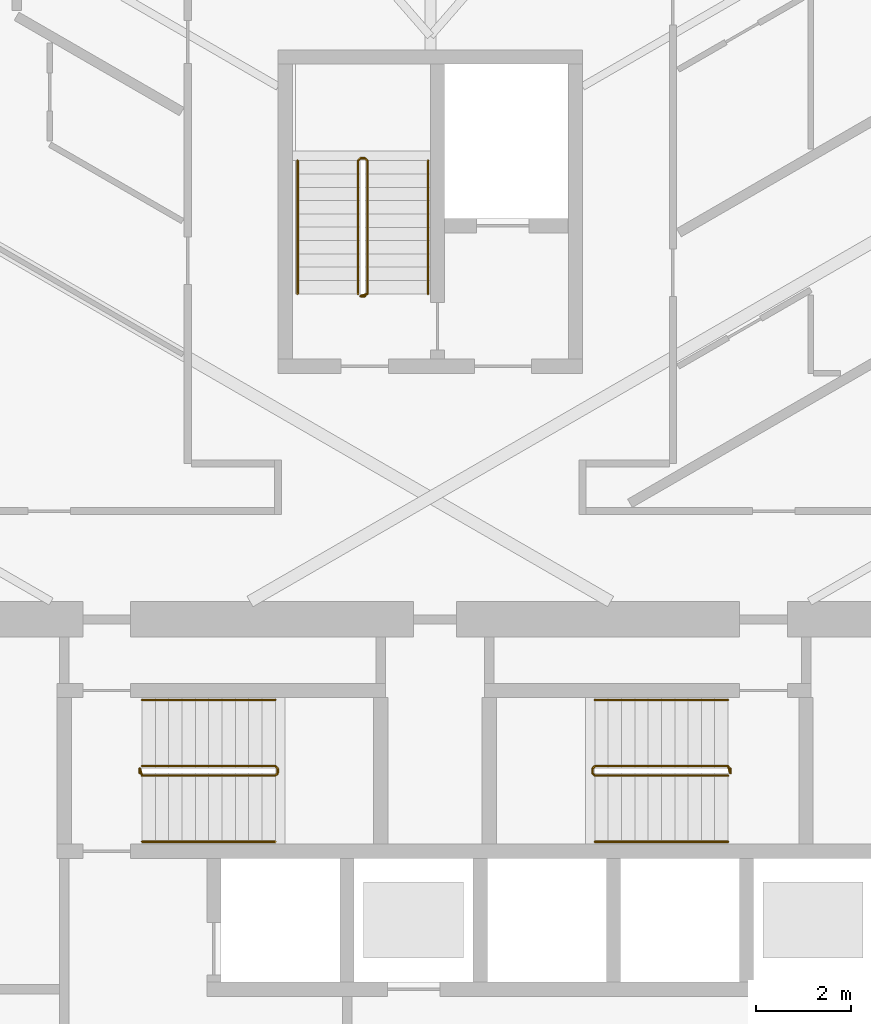
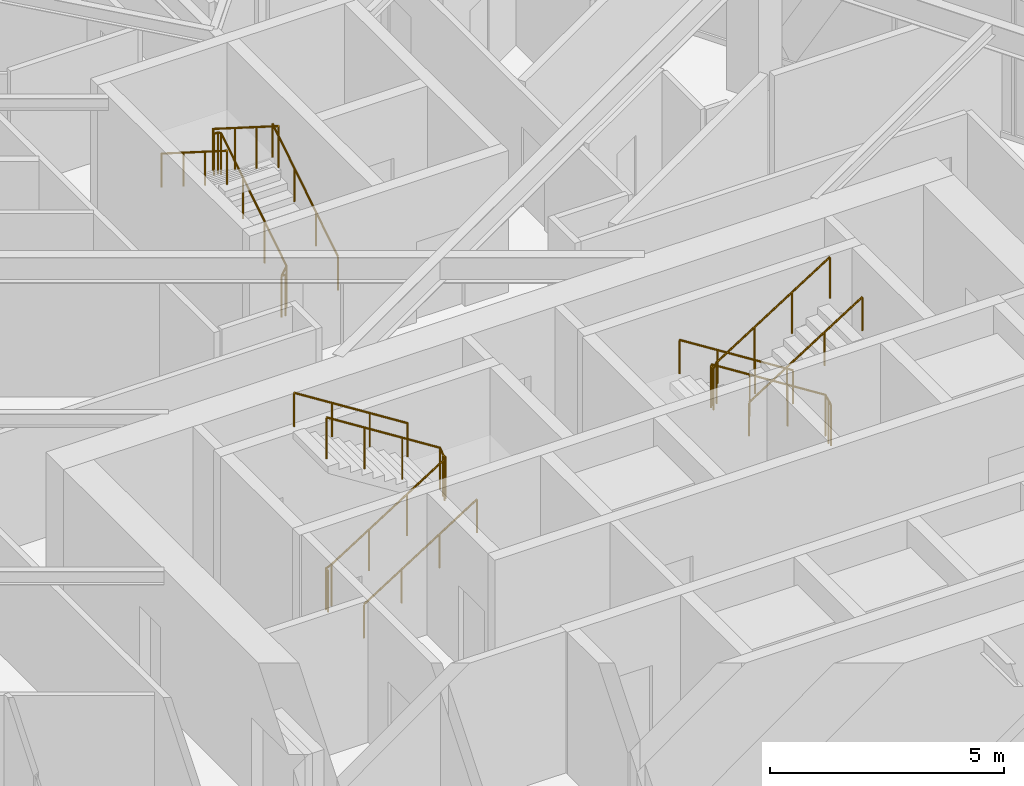
# One storey, part 18 of 19: 9 railings.
"""IFC4 building model written with IfcOpenShell, lengths in metres."""

import ifcopenshell
import ifcopenshell.guid

model = None  # the IFC model being written
_history = None  # IfcOwnerHistory: only IFC2X3 demands one
_inside = {}  # id of a spatial element -> (the spatial element, [elements in it])
_under = {}  # id of a project, library or spatial element -> (it, [spatial elements below it])
_declared = {}  # id of a project -> (the project, [libraries it declares])
_typed = {}  # id of a type object -> (the type object, [elements of that type])
_made_of = {}  # id of a material, layer set ... -> (it, [elements and type objects made of it])


def new_model(schema):
    """Start an empty IFC model of exactly this schema.

    Asked for "IFC4X3", IfcOpenShell would pick the latest addendum, in which some entities
    have other attributes; the version numbers below select the first issue.
    IFC2X3 requires an IfcOwnerHistory on every rooted entity: one is made here for all.
    """
    global model, _history
    if schema == "IFC4X3":
        model = ifcopenshell.file(schema_version=(4, 3, 0, 0))
    else:
        model = ifcopenshell.file(schema=schema)
    _inside.clear()
    _under.clear()
    _declared.clear()
    _typed.clear()
    _made_of.clear()
    _history = None
    if model.schema == "IFC2X3":
        org = make("IfcOrganization", Name="unknown")
        user = make(
            "IfcPersonAndOrganization",
            ThePerson=make("IfcPerson", FamilyName="unknown"),
            TheOrganization=org,
        )
        app = make(
            "IfcApplication",
            ApplicationDeveloper=org,
            Version="unknown",
            ApplicationFullName="unknown",
            ApplicationIdentifier="unknown",
        )
        _history = make(
            "IfcOwnerHistory",
            OwningUser=user,
            OwningApplication=app,
            ChangeAction="ADDED",
            CreationDate=0,
        )
    return model


def make(cls, **values):
    """One entity of the class cls with the attributes given. An attribute that is None is left unset."""
    return model.create_entity(
        cls, **{name: value for name, value in values.items() if value is not None}
    )


def rooted(cls, **values):
    """An entity with a GlobalId (a new one), such as an element, a storey or a relation."""
    return make(cls, GlobalId=ifcopenshell.guid.new(), OwnerHistory=_history, **values)


def si_unit(unit_type, name, prefix=None):
    """IfcSIUnit, for example si_unit("LENGTHUNIT", "METRE", prefix="MILLI")."""
    return make("IfcSIUnit", UnitType=unit_type, Prefix=prefix, Name=name)


def assignment(units):
    """IfcUnitAssignment: the units of a project."""
    return None if units is None else make("IfcUnitAssignment", Units=units)


def point(xyz):
    """IfcCartesianPoint."""
    return None if xyz is None else make("IfcCartesianPoint", Coordinates=xyz)


def direction(xyz):
    """IfcDirection."""
    return None if xyz is None else make("IfcDirection", DirectionRatios=xyz)


def frame(location, z_axis=None, x_axis=None):
    """IfcAxis2Placement3D, a coordinate frame: its origin and axes. An axis left out is left unset."""
    return make(
        "IfcAxis2Placement3D",
        Location=point(location),
        Axis=direction(z_axis),
        RefDirection=direction(x_axis),
    )


def frame_2d(location, x_axis=None):
    """IfcAxis2Placement2D, a coordinate frame in the plane: its origin and x axis."""
    return make(
        "IfcAxis2Placement2D", Location=point(location), RefDirection=direction(x_axis)
    )


def origin():
    """The frame at (0, 0, 0) with its axes left unset."""
    return frame((0.0, 0.0, 0.0))


def origin_2d():
    """The frame at (0, 0) in the plane with its x axis left unset."""
    return frame_2d((0.0, 0.0))


def place(relative_to, where):
    """IfcLocalPlacement: puts the frame where relative to a parent placement (None: the world)."""
    return make(
        "IfcLocalPlacement", PlacementRelTo=relative_to, RelativePlacement=where
    )


def context(
    kind, dimensions, precision=None, world=None, true_north=None, identifier=None
):
    """IfcGeometricRepresentationContext, for example the 3D "Model" context."""
    return make(
        "IfcGeometricRepresentationContext",
        ContextIdentifier=identifier,
        ContextType=kind,
        CoordinateSpaceDimension=dimensions,
        Precision=precision,
        WorldCoordinateSystem=world,
        TrueNorth=true_north,
    )


def subcontext(parent, identifier, kind, view, scale=None):
    """IfcGeometricRepresentationSubContext, for example "Body" below "Model"."""
    return make(
        "IfcGeometricRepresentationSubContext",
        ContextIdentifier=identifier,
        ContextType=kind,
        ParentContext=parent,
        TargetScale=scale,
        TargetView=view,
    )


def project(units=None, contexts=None):
    """IfcProject with its units and contexts."""
    return rooted(
        "IfcProject",
        Name="project",
        RepresentationContexts=contexts,
        UnitsInContext=assignment(units),
    )


def spatial(cls, under=None, at=None, **own):
    """A site, building, storey or space (cls), placed at a placement, below another one or the project."""
    s = rooted(cls, ObjectPlacement=at, **own)
    if under is not None:
        _under.setdefault(under.id(), (under, []))[1].append(s)
    return s


def profile(cls, at=None, kind="AREA", **sizes):
    """A parametric profile (cls). Its sizes go by their IFC names, for example OverallWidth=200.0."""
    return make(cls, ProfileType=kind, Position=at, **sizes)


def circle(**sizes):
    """IfcCircleProfileDef."""
    return profile("IfcCircleProfileDef", **sizes)


def extrude(swept, where, along, depth):
    """IfcExtrudedAreaSolid: the profile swept, set in the frame where, extruded along a direction by depth."""
    return make(
        "IfcExtrudedAreaSolid",
        SweptArea=swept,
        Position=where,
        ExtrudedDirection=direction(along),
        Depth=depth,
    )


def shape(context_of_items, identifier, shape_type, items):
    """IfcShapeRepresentation: the items that make up one representation, for example the "Body"."""
    return make(
        "IfcShapeRepresentation",
        ContextOfItems=context_of_items,
        RepresentationIdentifier=identifier,
        RepresentationType=shape_type,
        Items=items,
    )


def material(Name=None, Category=None):
    """IfcMaterial."""
    return make("IfcMaterial", Name=Name, Category=Category)


def made_of(thing, what):
    """Note that an element or type object is made of a material, layer set ...; save() writes the relation."""
    if what is not None:
        _made_of.setdefault(what.id(), (what, []))[1].append(thing)
    return thing


def type_object(cls, material=None, **own):
    """A type object (cls), such as IfcWallType, which elements share."""
    return made_of(rooted(cls, **own), material)


def element(
    cls,
    number,
    at=None,
    inside=None,
    cuts=None,
    type_object=None,
    material=None,
    context=None,
    identifier="Body",
    shape_type=None,
    held_by="IfcProductDefinitionShape",
    body=None,
    shapes=None,
    **own,
):
    """One element of the class cls, such as IfcWall. Its Tag is "e" and its number.

    at: its placement. inside: the storey or other place that contains it. cuts: it is an
    opening in that element (IfcRelVoidsElement). A single representation is given by context,
    identifier, shape_type and body (its items); several are given by shapes. held_by: the class
    of the entity that holds the representations. save() writes the other relations.
    """
    e = rooted(cls, Tag="e%d" % number, ObjectPlacement=at, **own)
    if body is not None:
        shapes = [shape(context, identifier, shape_type, body)]
    if shapes is not None:
        e.Representation = make(held_by, Representations=shapes)
    if inside is not None:
        _inside.setdefault(inside.id(), (inside, []))[1].append(e)
    if cuts is not None:
        rooted(
            "IfcRelVoidsElement", RelatingBuildingElement=cuts, RelatedOpeningElement=e
        )
    if type_object is not None:
        _typed.setdefault(type_object.id(), (type_object, []))[1].append(e)
    return made_of(e, material)


def aggregate(whole, parts):
    """IfcRelAggregates: a whole, such as a stair, and the parts it consists of."""
    return rooted("IfcRelAggregates", RelatingObject=whole, RelatedObjects=parts)


def save(model, path):
    """Write the relations noted so far, then the file.

    IfcRelAggregates (storeys below a building ...), IfcRelContainedInSpatialStructure (elements
    in a storey), IfcRelDefinesByType, IfcRelAssociatesMaterial and IfcRelDeclares: one each for
    every whole, place, type object, material and project.
    """
    for whole, parts in _under.values():
        aggregate(whole, parts)
    for where, things in _inside.values():
        rooted(
            "IfcRelContainedInSpatialStructure",
            RelatedElements=things,
            RelatingStructure=where,
        )
    for kind, things in _typed.values():
        rooted("IfcRelDefinesByType", RelatedObjects=things, RelatingType=kind)
    for what, things in _made_of.values():
        rooted("IfcRelAssociatesMaterial", RelatedObjects=things, RelatingMaterial=what)
    for by, libraries in _declared.values():
        rooted("IfcRelDeclares", RelatingContext=by, RelatedDefinitions=libraries)
    model.write(path)


model = new_model("IFC4")

# Units and contexts
model_context = context("Model", 3, precision=1e-05, world=origin(), true_north=direction((0.0, 1.0)))
body_context = subcontext(model_context, "Body", "Model", "MODEL_VIEW")
ifc_project = project(units=[si_unit("LENGTHUNIT", "METRE"), si_unit("AREAUNIT", "SQUARE_METRE"), si_unit("VOLUMEUNIT", "CUBIC_METRE"), si_unit("PLANEANGLEUNIT", "RADIAN"), si_unit("MASSUNIT", "GRAM", prefix="KILO")], contexts=[model_context])

# Site, building, storey
site_placement = place(None, origin())
site = spatial("IfcSite", under=ifc_project, at=site_placement, CompositionType="ELEMENT")
building_placement = place(site_placement, origin())
building = spatial("IfcBuilding", under=site, at=building_placement, Name="Firuza Gate Tower and Library", CompositionType="ELEMENT")
storey_placement = place(building_placement, frame((0.0, 0.0, 187.0)))
storey = spatial("IfcBuildingStorey", under=building, at=storey_placement, Name="L43", CompositionType="ELEMENT", Elevation=187.0)

# Railings
ifc_material_1 = material(Name="Steel S355", Category="steel")
railing_type_1 = type_object("IfcRailingType", Name="Stair guard 1100", PredefinedType="GUARDRAIL", material=ifc_material_1)
railing_1_placement = place(storey_placement, frame((68.889892578125, 79.389892578125, 0.0)))
element("IfcRailing", 1, at=railing_1_placement, inside=storey, type_object=railing_type_1, Name="L43 ST1 stair guard 1", PredefinedType="GUARDRAIL", context=body_context, shape_type="SweptSolid", body=[
    extrude(circle(Radius=0.02392578125, at=origin_2d()), frame((0.0, 0.0, 1.076171875), z_axis=(0.0, 1.0, 0.0), x_axis=(-1.0, 0.0, 0.0)), (0.0, 0.0, 1.0), 0.10009765625),
    extrude(circle(Radius=0.02392578125, at=origin_2d()), frame((0.0, 0.10009765625, 1.076171875), z_axis=(0.210758951027, -0.631248760638, 0.74639511437), x_axis=(0.948528701346, 0.316691178788, 0.0)), (0.0, 0.0, 1.0), 0.237548828125),
    extrude(circle(Radius=0.02392578125, at=origin_2d()), frame((0.050048828125, -0.0498046875, 1.25341796875), z_axis=(0.844908973607, 0.0, 0.534910110503), x_axis=(0.0, 1.0, 0.0)), (0.0, 0.0, 1.0), 3.31396484375),
    extrude(circle(Radius=0.02392578125, at=origin_2d()), frame((2.85009765625, -0.0498046875, 3.02587890625), z_axis=(0.708833529934, 0.705375805398, 0.0), x_axis=(-0.705375805398, 0.708833529934, 0.0)), (0.0, 0.0, 1.0), 0.070556640625),
    extrude(circle(Radius=0.02392578125, at=origin_2d()), frame((2.900146484375, 0.0, 3.02587890625), z_axis=(0.0, 1.0, 0.0), x_axis=(-1.0, 0.0, 0.0)), (0.0, 0.0, 1.0), 0.10009765625),
    extrude(circle(Radius=0.02392578125, at=origin_2d()), frame((2.900146484375, 0.10009765625, 3.02587890625), z_axis=(-0.262233686654, 0.262233686654, 0.928691007369), x_axis=(-0.707106781187, -0.707106781187, 0.0)), (0.0, 0.0, 1.0), 0.19091796875),
    extrude(circle(Radius=0.02392578125, at=origin_2d()), frame((2.85009765625, 0.150146484375, 3.203125), z_axis=(-0.844908973607, 0.0, 0.534910110503), x_axis=(0.0, -1.0, 0.0)), (0.0, 0.0, 1.0), 3.31396484375),
    extrude(circle(Radius=0.02099609375, at=origin_2d()), origin(), (0.0, 0.0, 1.0), 1.052001953125),
    extrude(circle(Radius=0.02099609375, at=origin_2d()), frame((0.0, 0.10009765625, 0.0)), (0.0, 0.0, 1.0), 1.052001953125),
    extrude(circle(Radius=0.02099609375, at=origin_2d()), frame((0.050048828125, -0.0498046875, 0.17724609375)), (0.0, 0.0, 1.0), 1.052001953125),
    extrude(circle(Radius=0.02099609375, at=origin_2d()), frame((0.9833984375, -0.0498046875, 0.76806640625)), (0.0, 0.0, 1.0), 1.052001953125),
    extrude(circle(Radius=0.02099609375, at=origin_2d()), frame((1.916748046875, -0.0498046875, 1.359130859375)), (0.0, 0.0, 1.0), 1.052001953125),
    extrude(circle(Radius=0.02099609375, at=origin_2d()), frame((2.85009765625, -0.0498046875, 1.949951171875)), (0.0, 0.0, 1.0), 1.052001953125),
    extrude(circle(Radius=0.02099609375, at=origin_2d()), frame((2.900146484375, 0.0, 1.949951171875)), (0.0, 0.0, 1.0), 1.052001953125),
    extrude(circle(Radius=0.02099609375, at=origin_2d()), frame((2.900146484375, 0.10009765625, 1.949951171875)), (0.0, 0.0, 1.0), 1.052001953125),
    extrude(circle(Radius=0.02099609375, at=origin_2d()), frame((2.85009765625, 0.150146484375, 2.127197265625)), (0.0, 0.0, 1.0), 1.052001953125),
    extrude(circle(Radius=0.02099609375, at=origin_2d()), frame((1.916748046875, 0.150146484375, 2.718017578125)), (0.0, 0.0, 1.0), 1.052001953125),
    extrude(circle(Radius=0.02099609375, at=origin_2d()), frame((0.9833984375, 0.150146484375, 3.30908203125)), (0.0, 0.0, 1.0), 1.052001953125),
    extrude(circle(Radius=0.02099609375, at=origin_2d()), frame((0.050048828125, 0.150146484375, 3.89990234375)), (0.0, 0.0, 1.0), 1.052001953125),
])
railing_2_placement = place(storey_placement, frame((81.31005859375, 79.489990234375, 0.0)))
element("IfcRailing", 2, at=railing_2_placement, inside=storey, type_object=railing_type_1, Name="L43 ST2 stair guard 1", PredefinedType="GUARDRAIL", context=body_context, shape_type="SweptSolid", body=[
    extrude(circle(Radius=0.02392578125, at=origin_2d()), frame((0.0, 0.0, 1.076171875), z_axis=(0.0, -1.0, 0.0), x_axis=(1.0, 0.0, 0.0)), (0.0, 0.0, 1.0), 0.10009765625),
    extrude(circle(Radius=0.02392578125, at=origin_2d()), frame((0.0, -0.10009765625, 1.076171875), z_axis=(-0.210622194084, 0.631866582253, 0.74591079466), x_axis=(-0.948683298051, -0.316227766017, 0.0)), (0.0, 0.0, 1.0), 0.237548828125),
    extrude(circle(Radius=0.02392578125, at=origin_2d()), frame((-0.050048828125, 0.050048828125, 1.25341796875), z_axis=(-0.844908973607, 0.0, 0.534910110503), x_axis=(0.0, -1.0, 0.0)), (0.0, 0.0, 1.0), 3.31396484375),
    extrude(circle(Radius=0.02392578125, at=origin_2d()), frame((-2.85009765625, 0.050048828125, 3.02587890625), z_axis=(-0.707106781187, -0.707106781187, 0.0), x_axis=(0.707106781187, -0.707106781187, 0.0)), (0.0, 0.0, 1.0), 0.07080078125),
    extrude(circle(Radius=0.02392578125, at=origin_2d()), frame((-2.900146484375, 0.0, 3.02587890625), z_axis=(0.0, -1.0, 0.0), x_axis=(1.0, 0.0, 0.0)), (0.0, 0.0, 1.0), 0.10009765625),
    extrude(circle(Radius=0.02392578125, at=origin_2d()), frame((-2.900146484375, -0.10009765625, 3.02587890625), z_axis=(0.262321481514, -0.261041864531, 0.929001929653), x_axis=(0.705375805398, 0.708833529934, 0.0)), (0.0, 0.0, 1.0), 0.190673828125),
    extrude(circle(Radius=0.02392578125, at=origin_2d()), frame((-2.85009765625, -0.14990234375, 3.203125), z_axis=(0.844908973607, 0.0, 0.534910110503), x_axis=(0.0, 1.0, 0.0)), (0.0, 0.0, 1.0), 3.31396484375),
    extrude(circle(Radius=0.02099609375, at=origin_2d()), origin(), (0.0, 0.0, 1.0), 1.052001953125),
    extrude(circle(Radius=0.02099609375, at=origin_2d()), frame((0.0, -0.10009765625, 0.0)), (0.0, 0.0, 1.0), 1.052001953125),
    extrude(circle(Radius=0.02099609375, at=origin_2d()), frame((-0.050048828125, 0.050048828125, 0.17724609375)), (0.0, 0.0, 1.0), 1.052001953125),
    extrude(circle(Radius=0.02099609375, at=origin_2d()), frame((-0.9833984375, 0.050048828125, 0.76806640625)), (0.0, 0.0, 1.0), 1.052001953125),
    extrude(circle(Radius=0.02099609375, at=origin_2d()), frame((-1.916748046875, 0.050048828125, 1.359130859375)), (0.0, 0.0, 1.0), 1.052001953125),
    extrude(circle(Radius=0.02099609375, at=origin_2d()), frame((-2.85009765625, 0.050048828125, 1.949951171875)), (0.0, 0.0, 1.0), 1.052001953125),
    extrude(circle(Radius=0.02099609375, at=origin_2d()), frame((-2.900146484375, 0.0, 1.949951171875)), (0.0, 0.0, 1.0), 1.052001953125),
    extrude(circle(Radius=0.02099609375, at=origin_2d()), frame((-2.900146484375, -0.10009765625, 1.949951171875)), (0.0, 0.0, 1.0), 1.052001953125),
    extrude(circle(Radius=0.02099609375, at=origin_2d()), frame((-2.85009765625, -0.14990234375, 2.127197265625)), (0.0, 0.0, 1.0), 1.052001953125),
    extrude(circle(Radius=0.02099609375, at=origin_2d()), frame((-1.916748046875, -0.14990234375, 2.718017578125)), (0.0, 0.0, 1.0), 1.052001953125),
    extrude(circle(Radius=0.02099609375, at=origin_2d()), frame((-0.9833984375, -0.14990234375, 3.30908203125)), (0.0, 0.0, 1.0), 1.052001953125),
    extrude(circle(Radius=0.02099609375, at=origin_2d()), frame((-0.050048828125, -0.14990234375, 3.89990234375)), (0.0, 0.0, 1.0), 1.052001953125),
])
railing_3_placement = place(storey_placement, frame((73.6298828125, 89.419921875, 0.0)))
element("IfcRailing", 3, at=railing_3_placement, inside=storey, type_object=railing_type_1, Name="L43 ST3 stair guard 1", PredefinedType="GUARDRAIL", context=body_context, shape_type="SweptSolid", body=[
    extrude(circle(Radius=0.02392578125, at=origin_2d()), frame((0.0, 0.0, 1.076171875), z_axis=(-1.0, 0.0, 0.0), x_axis=(0.0, -1.0, 0.0)), (0.0, 0.0, 1.0), 0.099853515625),
    extrude(circle(Radius=0.02392578125, at=origin_2d()), frame((-0.099853515625, 0.0, 1.076171875), z_axis=(0.631248760638, 0.210758951027, 0.74639511437), x_axis=(-0.316691178788, 0.948528701346, 0.0)), (0.0, 0.0, 1.0), 0.237548828125),
    extrude(circle(Radius=0.02392578125, at=origin_2d()), frame((0.050048828125, 0.050048828125, 1.25341796875), z_axis=(0.0, 0.844908973607, 0.534910110503), x_axis=(-1.0, 0.0, 0.0)), (0.0, 0.0, 1.0), 3.31396484375),
    extrude(circle(Radius=0.02392578125, at=origin_2d()), frame((0.050048828125, 2.85009765625, 3.02587890625), z_axis=(-0.707106781187, 0.707106781187, 0.0), x_axis=(-0.707106781187, -0.707106781187, 0.0)), (0.0, 0.0, 1.0), 0.07080078125),
    extrude(circle(Radius=0.02392578125, at=origin_2d()), frame((0.0, 2.900146484375, 3.02587890625), z_axis=(-1.0, 0.0, 0.0), x_axis=(0.0, -1.0, 0.0)), (0.0, 0.0, 1.0), 0.099853515625),
    extrude(circle(Radius=0.02392578125, at=origin_2d()), frame((-0.099853515625, 2.900146484375, 3.02587890625), z_axis=(-0.262233686654, -0.262233686654, 0.928691007369), x_axis=(0.707106781187, -0.707106781187, 0.0)), (0.0, 0.0, 1.0), 0.19091796875),
    extrude(circle(Radius=0.02392578125, at=origin_2d()), frame((-0.14990234375, 2.85009765625, 3.203125), z_axis=(0.0, -0.844908973607, 0.534910110503), x_axis=(1.0, 0.0, 0.0)), (0.0, 0.0, 1.0), 3.31396484375),
    extrude(circle(Radius=0.02099609375, at=origin_2d()), origin(), (0.0, 0.0, 1.0), 1.052001953125),
    extrude(circle(Radius=0.02099609375, at=origin_2d()), frame((-0.099853515625, 0.0, 0.0)), (0.0, 0.0, 1.0), 1.052001953125),
    extrude(circle(Radius=0.02099609375, at=origin_2d()), frame((0.050048828125, 0.050048828125, 0.17724609375)), (0.0, 0.0, 1.0), 1.052001953125),
    extrude(circle(Radius=0.02099609375, at=origin_2d()), frame((0.050048828125, 0.9833984375, 0.76806640625)), (0.0, 0.0, 1.0), 1.052001953125),
    extrude(circle(Radius=0.02099609375, at=origin_2d()), frame((0.050048828125, 1.916748046875, 1.359130859375)), (0.0, 0.0, 1.0), 1.052001953125),
    extrude(circle(Radius=0.02099609375, at=origin_2d()), frame((0.050048828125, 2.85009765625, 1.949951171875)), (0.0, 0.0, 1.0), 1.052001953125),
    extrude(circle(Radius=0.02099609375, at=origin_2d()), frame((0.0, 2.900146484375, 1.949951171875)), (0.0, 0.0, 1.0), 1.052001953125),
    extrude(circle(Radius=0.02099609375, at=origin_2d()), frame((-0.099853515625, 2.900146484375, 1.949951171875)), (0.0, 0.0, 1.0), 1.052001953125),
    extrude(circle(Radius=0.02099609375, at=origin_2d()), frame((-0.14990234375, 2.85009765625, 2.127197265625)), (0.0, 0.0, 1.0), 1.052001953125),
    extrude(circle(Radius=0.02099609375, at=origin_2d()), frame((-0.14990234375, 1.916748046875, 2.718017578125)), (0.0, 0.0, 1.0), 1.052001953125),
    extrude(circle(Radius=0.02099609375, at=origin_2d()), frame((-0.14990234375, 0.9833984375, 3.30908203125)), (0.0, 0.0, 1.0), 1.052001953125),
    extrude(circle(Radius=0.02099609375, at=origin_2d()), frame((-0.14990234375, 0.050048828125, 3.89990234375)), (0.0, 0.0, 1.0), 1.052001953125),
])
ifc_material_2 = material(Name="Steel S355", Category="steel")
railing_type_2 = type_object("IfcRailingType", Name="Stair handrail 900", PredefinedType="HANDRAIL", material=ifc_material_2)
railing_4_placement = place(storey_placement, frame((68.93994140625, 77.949951171875, 0.17724609375)))
element("IfcRailing", 4, at=railing_4_placement, inside=storey, type_object=railing_type_2, Name="L43 ST1 stair handrail 1", PredefinedType="HANDRAIL", context=body_context, shape_type="SweptSolid", body=[
    extrude(circle(Radius=0.02392578125, at=origin_2d()), frame((0.0, 0.0, 0.8759765625), z_axis=(0.844908973607, 0.0, 0.534910110503), x_axis=(0.0, 1.0, 0.0)), (0.0, 0.0, 1.0), 3.31396484375),
    extrude(circle(Radius=0.02099609375, at=origin_2d()), origin(), (0.0, 0.0, 1.0), 0.851806640625),
    extrude(circle(Radius=0.02099609375, at=origin_2d()), frame((0.933349609375, 0.0, 0.5908203125)), (0.0, 0.0, 1.0), 0.851806640625),
    extrude(circle(Radius=0.02099609375, at=origin_2d()), frame((1.86669921875, 0.0, 1.181884765625)), (0.0, 0.0, 1.0), 0.851806640625),
    extrude(circle(Radius=0.02099609375, at=origin_2d()), frame((2.800048828125, 0.0, 1.772705078125)), (0.0, 0.0, 1.0), 0.851806640625),
])
for number, where, name in (
    (5, (71.739990234375, 80.929931640625, 2.127197265625), "L43 ST1 stair handrail 2"),
    (6, (81.260009765625, 80.929931640625, 0.17724609375), "L43 ST2 stair handrail 1"),
):
    element("IfcRailing", number, at=place(storey_placement, frame(where)), inside=storey, type_object=railing_type_2, Name=name, PredefinedType="HANDRAIL", context=body_context, shape_type="SweptSolid", body=[
        extrude(circle(Radius=0.02392578125, at=origin_2d()), frame((0.0, 0.0, 0.8759765625), z_axis=(-0.844908973607, 0.0, 0.534910110503), x_axis=(0.0, -1.0, 0.0)), (0.0, 0.0, 1.0), 3.31396484375),
        extrude(circle(Radius=0.02099609375, at=origin_2d()), origin(), (0.0, 0.0, 1.0), 0.851806640625),
        extrude(circle(Radius=0.02099609375, at=origin_2d()), frame((-0.933349609375, 0.0, 0.5908203125)), (0.0, 0.0, 1.0), 0.851806640625),
        extrude(circle(Radius=0.02099609375, at=origin_2d()), frame((-1.86669921875, 0.0, 1.181884765625)), (0.0, 0.0, 1.0), 0.851806640625),
        extrude(circle(Radius=0.02099609375, at=origin_2d()), frame((-2.800048828125, 0.0, 1.772705078125)), (0.0, 0.0, 1.0), 0.851806640625),
    ])
railing_5_placement = place(storey_placement, frame((78.4599609375, 77.949951171875, 2.127197265625)))
element("IfcRailing", 7, at=railing_5_placement, inside=storey, type_object=railing_type_2, Name="L43 ST2 stair handrail 2", PredefinedType="HANDRAIL", context=body_context, shape_type="SweptSolid", body=[
    extrude(circle(Radius=0.02392578125, at=origin_2d()), frame((0.0, 0.0, 0.8759765625), z_axis=(0.844908973607, 0.0, 0.534910110503), x_axis=(0.0, 1.0, 0.0)), (0.0, 0.0, 1.0), 3.31396484375),
    extrude(circle(Radius=0.02099609375, at=origin_2d()), origin(), (0.0, 0.0, 1.0), 0.851806640625),
    extrude(circle(Radius=0.02099609375, at=origin_2d()), frame((0.933349609375, 0.0, 0.5908203125)), (0.0, 0.0, 1.0), 0.851806640625),
    extrude(circle(Radius=0.02099609375, at=origin_2d()), frame((1.86669921875, 0.0, 1.181884765625)), (0.0, 0.0, 1.0), 0.851806640625),
    extrude(circle(Radius=0.02099609375, at=origin_2d()), frame((2.800048828125, 0.0, 1.772705078125)), (0.0, 0.0, 1.0), 0.851806640625),
])
railing_6_placement = place(storey_placement, frame((74.949951171875, 89.469970703125, 0.17724609375)))
element("IfcRailing", 8, at=railing_6_placement, inside=storey, type_object=railing_type_2, Name="L43 ST3 stair handrail 1", PredefinedType="HANDRAIL", context=body_context, shape_type="SweptSolid", body=[
    extrude(circle(Radius=0.02392578125, at=origin_2d()), frame((0.0, 0.0, 0.8759765625), z_axis=(0.0, 0.844908973607, 0.534910110503), x_axis=(-1.0, 0.0, 0.0)), (0.0, 0.0, 1.0), 3.31396484375),
    extrude(circle(Radius=0.02099609375, at=origin_2d()), origin(), (0.0, 0.0, 1.0), 0.851806640625),
    extrude(circle(Radius=0.02099609375, at=origin_2d()), frame((0.0, 0.933349609375, 0.5908203125)), (0.0, 0.0, 1.0), 0.851806640625),
    extrude(circle(Radius=0.02099609375, at=origin_2d()), frame((0.0, 1.86669921875, 1.181884765625)), (0.0, 0.0, 1.0), 0.851806640625),
    extrude(circle(Radius=0.02099609375, at=origin_2d()), frame((0.0, 2.800048828125, 1.772705078125)), (0.0, 0.0, 1.0), 0.851806640625),
])
railing_7_placement = place(storey_placement, frame((72.2099609375, 92.27001953125, 2.127197265625)))
element("IfcRailing", 9, at=railing_7_placement, inside=storey, type_object=railing_type_2, Name="L43 ST3 stair handrail 2", PredefinedType="HANDRAIL", context=body_context, shape_type="SweptSolid", body=[
    extrude(circle(Radius=0.02392578125, at=origin_2d()), frame((0.0, 0.0, 0.8759765625), z_axis=(0.0, -0.844908973607, 0.534910110503), x_axis=(1.0, 0.0, 0.0)), (0.0, 0.0, 1.0), 3.31396484375),
    extrude(circle(Radius=0.02099609375, at=origin_2d()), origin(), (0.0, 0.0, 1.0), 0.851806640625),
    extrude(circle(Radius=0.02099609375, at=origin_2d()), frame((0.0, -0.933349609375, 0.5908203125)), (0.0, 0.0, 1.0), 0.851806640625),
    extrude(circle(Radius=0.02099609375, at=origin_2d()), frame((0.0, -1.86669921875, 1.181884765625)), (0.0, 0.0, 1.0), 0.851806640625),
    extrude(circle(Radius=0.02099609375, at=origin_2d()), frame((0.0, -2.800048828125, 1.772705078125)), (0.0, 0.0, 1.0), 0.851806640625),
])

save(model, "model.ifc")
